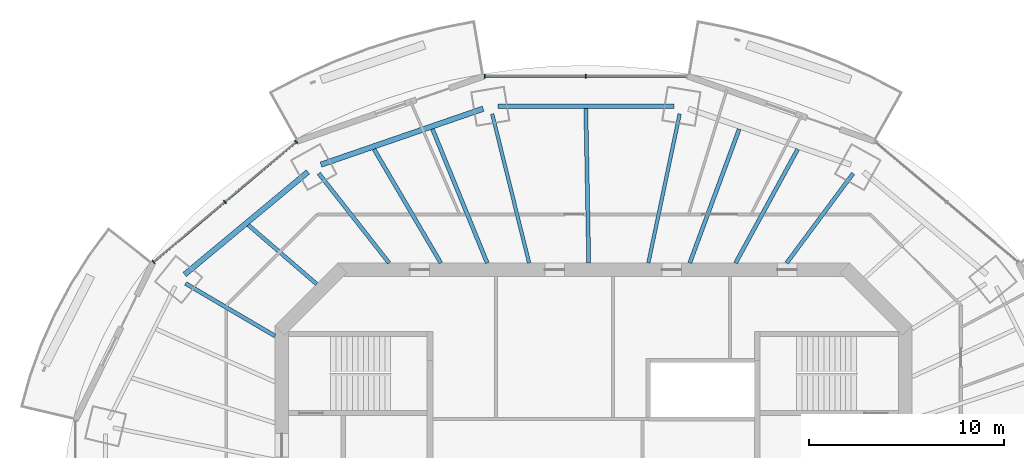
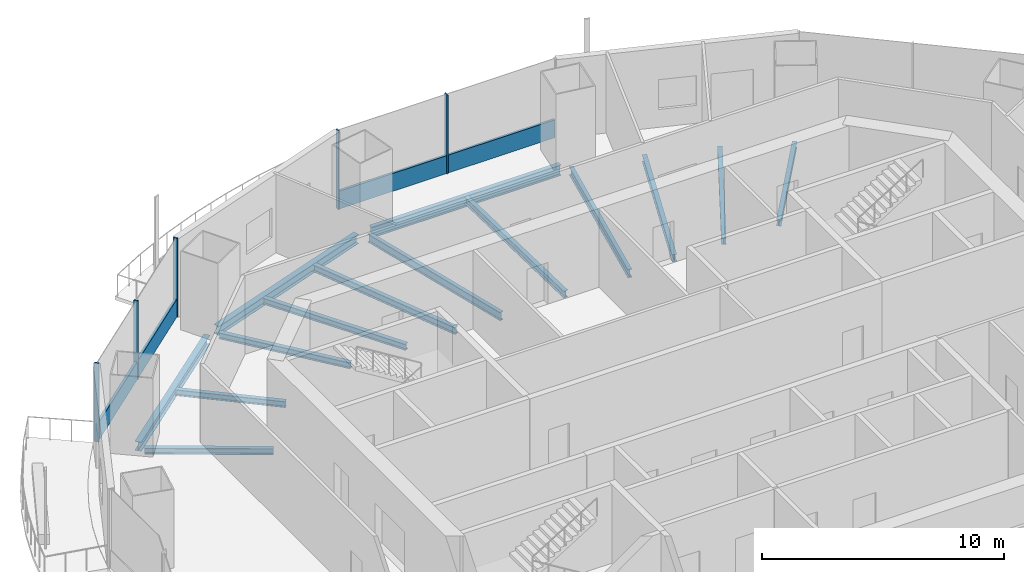
# One storey, part 5 of 16: 14 beams, 7 members, 2 elements without a shape of their own.
"""IFC4 building model written with IfcOpenShell, lengths in metres."""

from ifc_helpers import new_model, si_unit, direction, frame, origin, origin_2d, place, context, subcontext, project, spatial, rectangle, i_section, extrude, material, material_profile, profile_set, type_object, element, aggregate, save


model = new_model("IFC4")

# Units and contexts
model_context = context("Model", 3, precision=1e-05, world=origin(), true_north=direction((0.0, 1.0)))
body_context = subcontext(model_context, "Body", "Model", "MODEL_VIEW")
ifc_project = project(units=[si_unit("LENGTHUNIT", "METRE"), si_unit("AREAUNIT", "SQUARE_METRE"), si_unit("VOLUMEUNIT", "CUBIC_METRE"), si_unit("PLANEANGLEUNIT", "RADIAN"), si_unit("MASSUNIT", "GRAM", prefix="KILO")], contexts=[model_context])

# Site, building, storey
site_placement = place(None, origin())
site = spatial("IfcSite", under=ifc_project, at=site_placement, CompositionType="ELEMENT")
building_placement = place(site_placement, origin())
building = spatial("IfcBuilding", under=site, at=building_placement, Name="Marenthal Gate Tower", CompositionType="ELEMENT")
storey_placement = place(building_placement, frame((0.0, 0.0, 346.75)))
storey = spatial("IfcBuildingStorey", under=building, at=storey_placement, Name="L78", CompositionType="ELEMENT", Elevation=346.75)

# Curtain wall, members
ifc_material_1 = material(Name="Aluminium and glass", Category="aluminium")
curtain_wall_type = type_object("IfcCurtainWallType", Name="Curtain wall typical high", PredefinedType="NOTDEFINED", material=ifc_material_1)
curtain_wall_1_placement = place(storey_placement, origin())
curtain_wall_1 = element("IfcCurtainWall", 1, at=curtain_wall_1_placement, inside=storey, type_object=curtain_wall_type, Name="Curtain wall L78 bay 4", PredefinedType="NOTDEFINED")
ifc_material_2 = material(Name="Aluminium", Category="aluminium")
ifc_material_profile_1 = material_profile(ifc_material_2, rectangle(XDim=0.199951171875, YDim=0.06005859375, at=origin_2d()), Name="60x200 aluminium mullion")
ifc_profile_set_1 = profile_set([ifc_material_profile_1], Name="Aluminium")
member_type_1 = type_object("IfcMemberType", Name="Mullion 60x200 typical high", PredefinedType="MULLION", material=ifc_profile_set_1)
member_1_placement = place(storey_placement, frame((-0.39990234375, 22.944091796875, 0.0), z_axis=(0.0, 0.0, 1.0), x_axis=(0.0, -1.0, 0.0)))
member_1 = element("IfcMember", 2, at=member_1_placement, type_object=member_type_1, Name="Mullion L78 bay 4.2", PredefinedType="MULLION", context=body_context, shape_type="SweptSolid", body=[
    extrude(rectangle(XDim=0.199951171875, YDim=0.06005859375, at=origin_2d()), origin(), (0.0, 0.0, 1.0), 3.969970703125),
])
member_2_placement = place(storey_placement, frame((-5.580322265625, 22.944091796875, 0.0), z_axis=(0.0, 0.0, 1.0), x_axis=(0.0, -1.0, 0.0)))
member_2 = element("IfcMember", 3, at=member_2_placement, type_object=member_type_1, Name="Mullion L78 bay 4.3", PredefinedType="MULLION", context=body_context, shape_type="SweptSolid", body=[
    extrude(rectangle(XDim=0.199951171875, YDim=0.06005859375, at=origin_2d()), origin(), (0.0, 0.0, 1.0), 3.969970703125),
])

curtain_wall_2_placement = place(storey_placement, origin())
curtain_wall_2 = element("IfcCurtainWall", 4, at=curtain_wall_2_placement, inside=storey, type_object=curtain_wall_type, Name="Curtain wall L78 bay 6", PredefinedType="NOTDEFINED")
member_3_placement = place(storey_placement, frame((-15.260498046875, 19.56884765625, 0.0), z_axis=(0.0, 0.0, 1.0), x_axis=(0.643895579249, -0.765113379195, 0.0)))
member_3 = element("IfcMember", 5, at=member_3_placement, type_object=member_type_1, Name="Mullion L78 bay 6.1", PredefinedType="MULLION", context=body_context, shape_type="SweptSolid", body=[
    extrude(rectangle(XDim=0.199951171875, YDim=0.06005859375, at=origin_2d()), origin(), (0.0, 0.0, 1.0), 3.969970703125),
])
member_4_placement = place(storey_placement, frame((-18.921875, 16.487548828125, 0.0), z_axis=(0.0, 0.0, 1.0), x_axis=(0.643895579249, -0.765113379195, 0.0)))
member_4 = element("IfcMember", 6, at=member_4_placement, type_object=member_type_1, Name="Mullion L78 bay 6.2", PredefinedType="MULLION", context=body_context, shape_type="SweptSolid", body=[
    extrude(rectangle(XDim=0.199951171875, YDim=0.06005859375, at=origin_2d()), origin(), (0.0, 0.0, 1.0), 3.969970703125),
])
member_5_placement = place(storey_placement, frame((-22.583251953125, 13.40625, 0.0), z_axis=(0.0, 0.0, 1.0), x_axis=(0.643895579249, -0.765113379195, 0.0)))
member_5 = element("IfcMember", 7, at=member_5_placement, type_object=member_type_1, Name="Mullion L78 bay 6.3", PredefinedType="MULLION", context=body_context, shape_type="SweptSolid", body=[
    extrude(rectangle(XDim=0.199951171875, YDim=0.06005859375, at=origin_2d()), origin(), (0.0, 0.0, 1.0), 3.969970703125),
])

# Member
ifc_material_3 = material(Name="Aluminium", Category="aluminium")
ifc_material_profile_2 = material_profile(ifc_material_3, rectangle(XDim=0.1201171875, YDim=0.89990234375, at=origin_2d()), Name="120x900 aluminium transom")
ifc_profile_set_2 = profile_set([ifc_material_profile_2], Name="Aluminium")
member_type_2 = type_object("IfcMemberType", Name="Transom 120x900 typical high", PredefinedType="USERDEFINED", material=ifc_profile_set_2)
member_6_placement = place(storey_placement, frame((4.750244140625, 22.944091796875, 0.449951171875), z_axis=(-1.0, 0.0, 0.0), x_axis=(0.0, -1.0, 0.0)))
member_6 = element("IfcMember", 8, at=member_6_placement, type_object=member_type_2, Name="Transom L78 bay 4", ObjectType="TRANSOM", PredefinedType="USERDEFINED", context=body_context, shape_type="SweptSolid", body=[
    extrude(rectangle(XDim=0.1201171875, YDim=0.89990234375, at=origin_2d()), origin(), (0.0, 0.0, 1.0), 10.300537109375),
])

aggregate(curtain_wall_1, [member_1, member_2, member_6])

member_7_placement = place(storey_placement, frame((-15.283447265625, 19.549560546875, 0.449951171875), z_axis=(-0.765110860749, -0.643898571798, 0.0), x_axis=(0.643898571798, -0.765110860749, 0.0)))
member_7 = element("IfcMember", 9, at=member_7_placement, type_object=member_type_2, Name="Transom L78 bay 6", ObjectType="TRANSOM", PredefinedType="USERDEFINED", context=body_context, shape_type="SweptSolid", body=[
    extrude(rectangle(XDim=0.1201171875, YDim=0.89990234375, at=origin_2d()), origin(), (0.0, 0.0, 1.0), 9.5107421875),
])

aggregate(curtain_wall_2, [member_3, member_4, member_5, member_7])

# Beams
ifc_material_4 = material(Name="Steel S355", Category="steel")
ifc_material_profile_3 = material_profile(ifc_material_4, i_section(OverallWidth=0.202880859375, OverallDepth=0.302001953125, WebThickness=0.007568359375, FlangeThickness=0.01318359375, FilletRadius=0.0126953125, at=origin_2d()), Name="W310X60")
ifc_profile_set_3 = profile_set([ifc_material_profile_3], Name="Steel S355")
beam_type_1 = type_object("IfcBeamType", Name="W310X60 beam", PredefinedType="BEAM", material=ifc_profile_set_3)
beam_1_placement = place(storey_placement, frame((-17.718994140625, 15.29931640625, -0.3310546875), z_axis=(0.756893030268, -0.653538782882, 0.0), x_axis=(0.653538782882, 0.756893030268, 0.0)))
element("IfcBeam", 10, at=beam_1_placement, inside=storey, type_object=beam_type_1, Name="BM-L78-25", PredefinedType="BEAM", context=body_context, shape_type="SweptSolid", body=[
    extrude(i_section(OverallWidth=0.202880859375, OverallDepth=0.302001953125, WebThickness=0.007568359375, FlangeThickness=0.01318359375, FilletRadius=0.0126953125, at=origin_2d()), origin(), (0.0, 0.0, 1.0), 4.625244140625),
])
ifc_material_5 = material(Name="Steel S355", Category="steel")
ifc_material_profile_4 = material_profile(ifc_material_5, i_section(OverallWidth=0.205078125, OverallDepth=0.31005859375, WebThickness=0.009521484375, FlangeThickness=0.016357421875, FilletRadius=0.0126953125, at=origin_2d()), Name="W310X74")
ifc_profile_set_4 = profile_set([ifc_material_profile_4], Name="Steel S355")
beam_type_2 = type_object("IfcBeamType", Name="W310X74 beam", PredefinedType="BEAM", material=ifc_profile_set_4)
beam_2_placement = place(storey_placement, frame((13.31689453125, 17.947021484375, -0.3349609375), z_axis=(-0.595904600205, -0.803055233128, 0.0), x_axis=(0.803055233128, -0.595904600205, 0.0)))
element("IfcBeam", 11, at=beam_2_placement, inside=storey, type_object=beam_type_2, Name="BM-L78-03", PredefinedType="BEAM", context=body_context, shape_type="SweptSolid", body=[
    extrude(i_section(OverallWidth=0.205078125, OverallDepth=0.31005859375, WebThickness=0.009521484375, FlangeThickness=0.016357421875, FilletRadius=0.0126953125, at=origin_2d()), origin(), (0.0, 0.0, 1.0), 5.724365234375),
])
beam_3_placement = place(storey_placement, frame((-14.10546875, 17.95068359375, -0.3349609375), z_axis=(0.617873148228, -0.786277796138, 0.0), x_axis=(0.786277796138, 0.617873148228, 0.0)))
element("IfcBeam", 12, at=beam_3_placement, inside=storey, type_object=beam_type_2, Name="BM-L78-06", PredefinedType="BEAM", context=body_context, shape_type="SweptSolid", body=[
    extrude(i_section(OverallWidth=0.205078125, OverallDepth=0.31005859375, WebThickness=0.009521484375, FlangeThickness=0.016357421875, FilletRadius=0.0126953125, at=origin_2d()), origin(), (0.0, 0.0, 1.0), 5.85107421875),
])
beam_4_placement = place(storey_placement, frame((-20.939208984375, 12.3017578125, -0.3349609375), z_axis=(0.862215904587, -0.506540949852, 0.0), x_axis=(0.506540949852, 0.862215904587, 0.0)))
element("IfcBeam", 13, at=beam_4_placement, inside=storey, type_object=beam_type_2, Name="BM-L78-07", PredefinedType="BEAM", context=body_context, shape_type="SweptSolid", body=[
    extrude(i_section(OverallWidth=0.205078125, OverallDepth=0.31005859375, WebThickness=0.009521484375, FlangeThickness=0.016357421875, FilletRadius=0.0126953125, at=origin_2d()), origin(), (0.0, 0.0, 1.0), 5.322509765625),
])
beam_5_placement = place(storey_placement, frame((10.472900390625, 19.190185546875, -0.3349609375), z_axis=(-0.479083499801, -0.877769332011, 0.0), x_axis=(0.877769332011, -0.479083499801, 0.0)))
element("IfcBeam", 14, at=beam_5_placement, inside=storey, type_object=beam_type_2, Name="BM-L78-20", PredefinedType="BEAM", context=body_context, shape_type="SweptSolid", body=[
    extrude(i_section(OverallWidth=0.205078125, OverallDepth=0.31005859375, WebThickness=0.009521484375, FlangeThickness=0.016357421875, FilletRadius=0.0126953125, at=origin_2d()), origin(), (0.0, 0.0, 1.0), 6.6533203125),
])
beam_6_placement = place(storey_placement, frame((-11.2685546875, 19.191650390625, -0.3349609375), z_axis=(0.506358476452, -0.862323079435, 0.0), x_axis=(0.862323079435, 0.506358476452, 0.0)))
element("IfcBeam", 15, at=beam_6_placement, inside=storey, type_object=beam_type_2, Name="BM-L78-24", PredefinedType="BEAM", context=body_context, shape_type="SweptSolid", body=[
    extrude(i_section(OverallWidth=0.205078125, OverallDepth=0.31005859375, WebThickness=0.009521484375, FlangeThickness=0.016357421875, FilletRadius=0.0126953125, at=origin_2d()), origin(), (0.0, 0.0, 1.0), 6.774169921875),
])
ifc_material_6 = material(Name="Steel S355", Category="steel")
ifc_material_profile_5 = material_profile(ifc_material_6, i_section(OverallWidth=0.205078125, OverallDepth=0.35302734375, WebThickness=0.009521484375, FlangeThickness=0.016845703125, FilletRadius=0.014892578125, at=origin_2d()), Name="W360X79")
ifc_profile_set_5 = profile_set([ifc_material_profile_5], Name="Steel S355")
beam_type_3 = type_object("IfcBeamType", Name="W360X79 beam", PredefinedType="BEAM", material=ifc_profile_set_5)
beam_7_placement = place(storey_placement, frame((7.472900390625, 20.2236328125, -0.3564453125), z_axis=(-0.346599160147, -0.938013337957, 0.0), x_axis=(0.938013337957, -0.346599160147, 0.0)))
element("IfcBeam", 16, at=beam_7_placement, inside=storey, type_object=beam_type_3, Name="BM-L78-21", PredefinedType="BEAM", context=body_context, shape_type="SweptSolid", body=[
    extrude(i_section(OverallWidth=0.205078125, OverallDepth=0.35302734375, WebThickness=0.009521484375, FlangeThickness=0.016845703125, FilletRadius=0.014892578125, at=origin_2d()), origin(), (0.0, 0.0, 1.0), 7.32763671875),
])
beam_8_placement = place(storey_placement, frame((-0.39794921875, 21.28857421875, -0.3564453125), z_axis=(0.018695218948, -0.999825229122, 0.0), x_axis=(0.999825229122, 0.018695218948, 0.0)))
element("IfcBeam", 17, at=beam_8_placement, inside=storey, type_object=beam_type_3, Name="BM-L78-22", PredefinedType="BEAM", context=body_context, shape_type="SweptSolid", body=[
    extrude(i_section(OverallWidth=0.205078125, OverallDepth=0.35302734375, WebThickness=0.009521484375, FlangeThickness=0.016845703125, FilletRadius=0.014892578125, at=origin_2d()), origin(), (0.0, 0.0, 1.0), 7.93994140625),
])
beam_9_placement = place(storey_placement, frame((-8.268310546875, 20.22509765625, -0.3564453125), z_axis=(0.378407568357, -0.925639083126, 0.0), x_axis=(0.925639083126, 0.378407568357, 0.0)))
element("IfcBeam", 18, at=beam_9_placement, inside=storey, type_object=beam_type_3, Name="BM-L78-23", PredefinedType="BEAM", context=body_context, shape_type="SweptSolid", body=[
    extrude(i_section(OverallWidth=0.205078125, OverallDepth=0.35302734375, WebThickness=0.009521484375, FlangeThickness=0.016845703125, FilletRadius=0.014892578125, at=origin_2d()), origin(), (0.0, 0.0, 1.0), 7.42724609375),
])
ifc_material_7 = material(Name="Steel S355", Category="steel")
ifc_material_profile_6 = material_profile(ifc_material_7, i_section(OverallWidth=0.180908203125, OverallDepth=0.4169921875, WebThickness=0.010986328125, FlangeThickness=0.018310546875, FilletRadius=0.01025390625, at=origin_2d()), Name="W410X85")
ifc_profile_set_6 = profile_set([ifc_material_profile_6], Name="Steel S355")
beam_type_4 = type_object("IfcBeamType", Name="W410X85 beam", PredefinedType="BEAM", material=ifc_profile_set_6)
beam_10_placement = place(storey_placement, frame((4.41943359375, 21.002197265625, -0.388427734375), z_axis=(-0.205934953319, -0.978565682518, 0.0), x_axis=(0.978565682518, -0.205934953319, 0.0)))
element("IfcBeam", 19, at=beam_10_placement, inside=storey, type_object=beam_type_4, Name="BM-L78-04", PredefinedType="BEAM", context=body_context, shape_type="SweptSolid", body=[
    extrude(i_section(OverallWidth=0.180908203125, OverallDepth=0.4169921875, WebThickness=0.010986328125, FlangeThickness=0.018310546875, FilletRadius=0.01025390625, at=origin_2d()), origin(), (0.0, 0.0, 1.0), 7.81982421875),
])
beam_11_placement = place(storey_placement, frame((-5.205078125, 21.00341796875, -0.388427734375), z_axis=(0.240553471211, -0.970635888214, 0.0), x_axis=(0.970635888214, 0.240553471211, 0.0)))
element("IfcBeam", 20, at=beam_11_placement, inside=storey, type_object=beam_type_4, Name="BM-L78-05", PredefinedType="BEAM", context=body_context, shape_type="SweptSolid", body=[
    extrude(i_section(OverallWidth=0.180908203125, OverallDepth=0.4169921875, WebThickness=0.010986328125, FlangeThickness=0.018310546875, FilletRadius=0.01025390625, at=origin_2d()), origin(), (0.0, 0.0, 1.0), 7.884765625),
])
ifc_material_8 = material(Name="Steel S355", Category="steel")
ifc_material_profile_7 = material_profile(ifc_material_8, i_section(OverallWidth=0.279052734375, OverallDepth=0.4619140625, WebThickness=0.0107421875, FlangeThickness=0.017333984375, FilletRadius=0.010009765625, at=origin_2d()), Name="W460X113")
ifc_profile_set_7 = profile_set([ifc_material_profile_7], Name="Steel S355")
beam_type_5 = type_object("IfcBeamType", Name="W460X113 beam", PredefinedType="BEAM", material=ifc_profile_set_7)
beam_12_placement = place(storey_placement, frame((-5.66845703125, 21.268310546875, -0.410888671875), z_axis=(-0.945471662956, -0.325704366792, 0.0), x_axis=(0.325704366792, -0.945471662956, 0.0)))
element("IfcBeam", 21, at=beam_12_placement, inside=storey, type_object=beam_type_5, Name="BM-L78-44", PredefinedType="BEAM", context=body_context, shape_type="SweptSolid", body=[
    extrude(i_section(OverallWidth=0.279052734375, OverallDepth=0.4619140625, WebThickness=0.0107421875, FlangeThickness=0.017333984375, FilletRadius=0.010009765625, at=origin_2d()), origin(), (0.0, 0.0, 1.0), 8.8037109375),
])
beam_13_placement = place(storey_placement, frame((-14.659912109375, 18.024658203125, -0.410888671875), z_axis=(-0.768884423739, -0.639387787599, 0.0), x_axis=(0.639387787599, -0.768884423739, 0.0)))
element("IfcBeam", 22, at=beam_13_placement, inside=storey, type_object=beam_type_5, Name="BM-L78-45", PredefinedType="BEAM", context=body_context, shape_type="SweptSolid", body=[
    extrude(i_section(OverallWidth=0.279052734375, OverallDepth=0.4619140625, WebThickness=0.0107421875, FlangeThickness=0.017333984375, FilletRadius=0.010009765625, at=origin_2d()), origin(), (0.0, 0.0, 1.0), 8.233154296875),
])
ifc_material_9 = material(Name="Steel S355", Category="steel")
ifc_material_profile_8 = material_profile(ifc_material_9, i_section(OverallWidth=0.2119140625, OverallDepth=0.5439453125, WebThickness=0.01318359375, FlangeThickness=0.021240234375, FilletRadius=0.0126953125, at=origin_2d()), Name="W530X123")
ifc_profile_set_8 = profile_set([ifc_material_profile_8], Name="Steel S355")
beam_type_6 = type_object("IfcBeamType", Name="W530X123 beam", PredefinedType="BEAM", material=ifc_profile_set_8)
beam_14_placement = place(storey_placement, frame((4.114990234375, 21.39453125, -0.451904296875), z_axis=(-1.0, 0.0, 0.0), x_axis=(0.0, -1.0, 0.0)))
element("IfcBeam", 23, at=beam_14_placement, inside=storey, type_object=beam_type_6, Name="BM-L78-43", PredefinedType="BEAM", context=body_context, shape_type="SweptSolid", body=[
    extrude(i_section(OverallWidth=0.2119140625, OverallDepth=0.5439453125, WebThickness=0.01318359375, FlangeThickness=0.021240234375, FilletRadius=0.0126953125, at=origin_2d()), origin(), (0.0, 0.0, 1.0), 9.030029296875),
])

save(model, "model.ifc")
